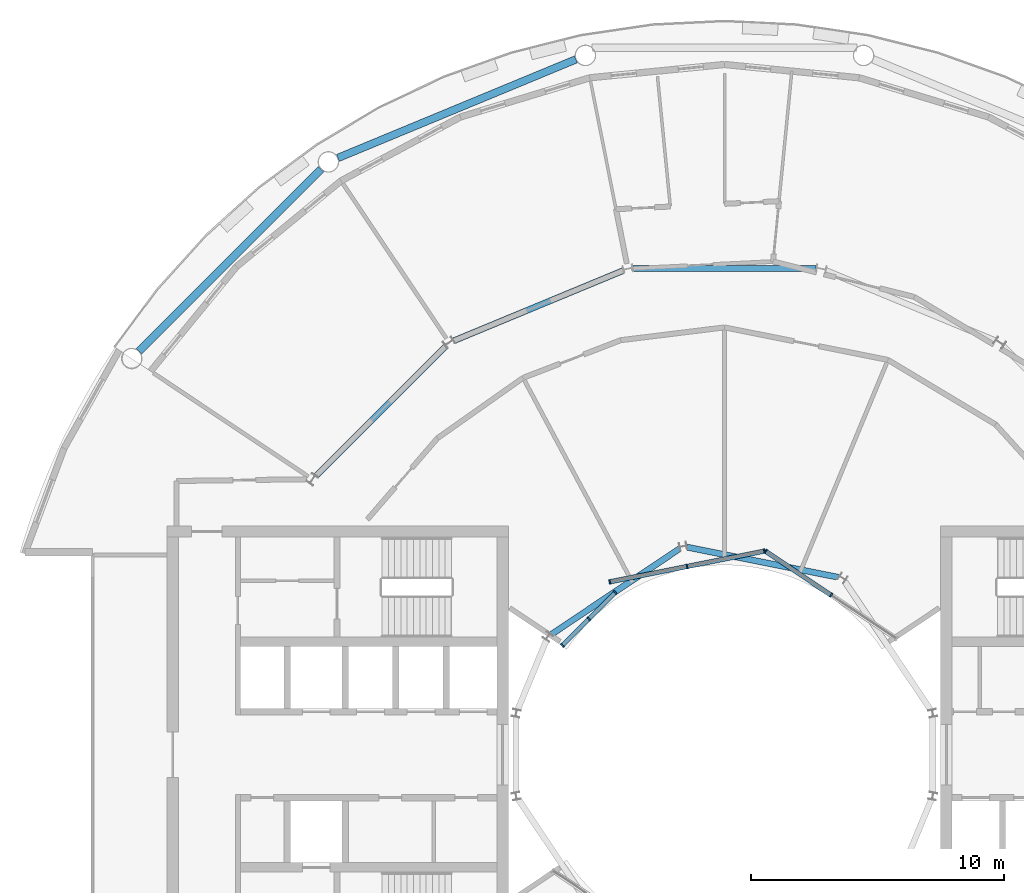
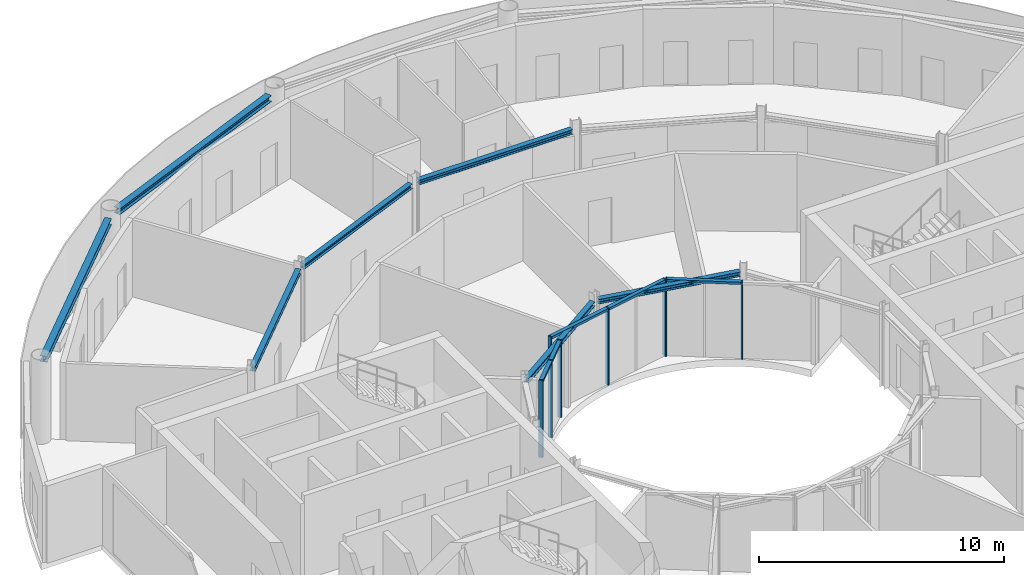
# One storey, part 9 of 22: 13 members, 7 beams, 3 elements without a shape of their own.
"""IFC4 building model written with IfcOpenShell, lengths in metres."""

from ifc_helpers import new_model, si_unit, direction, frame, origin, origin_2d, place, context, subcontext, project, spatial, rectangle, i_section, extrude, material, layer, layer_set, material_profile, profile_set, type_object, element, aggregate, save


model = new_model("IFC4")

# Units and contexts
model_context = context("Model", 3, precision=1e-05, world=origin(), true_north=direction((0.0, 1.0)))
body_context = subcontext(model_context, "Body", "Model", "MODEL_VIEW")
ifc_project = project(units=[si_unit("LENGTHUNIT", "METRE"), si_unit("AREAUNIT", "SQUARE_METRE"), si_unit("VOLUMEUNIT", "CUBIC_METRE"), si_unit("PLANEANGLEUNIT", "RADIAN"), si_unit("MASSUNIT", "GRAM", prefix="KILO")], contexts=[model_context])

# Site, building, storey
site_placement = place(None, origin())
site = spatial("IfcSite", under=ifc_project, at=site_placement, CompositionType="ELEMENT")
building_placement = place(site_placement, origin())
building = spatial("IfcBuilding", under=site, at=building_placement, Name="Maasbend Ring Residences", CompositionType="ELEMENT")
storey_placement = place(building_placement, frame((0.0, 0.0, 208.5)))
storey = spatial("IfcBuildingStorey", under=building, at=storey_placement, Name="L60", CompositionType="ELEMENT", Elevation=208.5)

# Curtain wall, members
ifc_material_1 = material(Name="Aluminium and clear glass", Category="aluminium")
ifc_layer = layer(ifc_material_1, 0.179931640625)
ifc_layer_set = layer_set([ifc_layer], Name="CW-W")
curtain_wall_type = type_object("IfcCurtainWallType", Name="CW-W", PredefinedType="NOTDEFINED", material=ifc_layer_set)
curtain_wall_1_placement = place(storey_placement, origin())
curtain_wall_1 = element("IfcCurtainWall", 1, at=curtain_wall_1_placement, inside=storey, type_object=curtain_wall_type, Name="Well curtain wall N1", PredefinedType="NOTDEFINED")
ifc_material_2 = material(Name="Aluminium 6063-T6", Category="aluminium")
ifc_material_profile_1 = material_profile(ifc_material_2, rectangle(XDim=0.179931640625, YDim=0.06005859375, at=origin_2d()), Name="AL 180x60")
ifc_profile_set_1 = profile_set([ifc_material_profile_1], Name="Aluminium 6063-T6")
member_type_1 = type_object("IfcMemberType", Name="CWM-W", PredefinedType="MULLION", material=ifc_profile_set_1)
member_1_placement = place(storey_placement, frame((4.216796875, 6.310791015625, 0.0), z_axis=(0.0, 0.0, 1.0), x_axis=(-0.55557023302, -0.831469612303, 0.0)))
member_1 = element("IfcMember", 2, at=member_1_placement, type_object=member_type_1, Name="Mullion well face", PredefinedType="MULLION", context=body_context, shape_type="SweptSolid", body=[
    extrude(rectangle(XDim=0.179931640625, YDim=0.06005859375, at=origin_2d()), origin(), (0.0, 0.0, 1.0), 3.85009765625),
])
member_2_placement = place(storey_placement, frame((1.627685546875, 8.040771484375, 0.0), z_axis=(0.0, 0.0, 1.0), x_axis=(-0.55557023302, -0.831469612303, 0.0)))
member_2 = element("IfcMember", 3, at=member_2_placement, type_object=member_type_1, Name="Mullion well face", PredefinedType="MULLION", context=body_context, shape_type="SweptSolid", body=[
    extrude(rectangle(XDim=0.179931640625, YDim=0.06005859375, at=origin_2d()), origin(), (0.0, 0.0, 1.0), 3.85009765625),
])

curtain_wall_2_placement = place(storey_placement, origin())
curtain_wall_2 = element("IfcCurtainWall", 4, at=curtain_wall_2_placement, inside=storey, type_object=curtain_wall_type, Name="Well curtain wall N2", PredefinedType="NOTDEFINED")
member_3_placement = place(storey_placement, frame((1.5732421875, 8.0517578125, 0.0), z_axis=(0.0, 0.0, 1.0), x_axis=(0.195090322016, -0.980785280403, 0.0)))
member_3 = element("IfcMember", 5, at=member_3_placement, type_object=member_type_1, Name="Mullion well face", PredefinedType="MULLION", context=body_context, shape_type="SweptSolid", body=[
    extrude(rectangle(XDim=0.179931640625, YDim=0.06005859375, at=origin_2d()), origin(), (0.0, 0.0, 1.0), 3.85009765625),
])
member_4_placement = place(storey_placement, frame((-1.480712890625, 7.444091796875, 0.0), z_axis=(0.0, 0.0, 1.0), x_axis=(0.195090322016, -0.980785280403, 0.0)))
member_4 = element("IfcMember", 6, at=member_4_placement, type_object=member_type_1, Name="Mullion well face", PredefinedType="MULLION", context=body_context, shape_type="SweptSolid", body=[
    extrude(rectangle(XDim=0.179931640625, YDim=0.06005859375, at=origin_2d()), origin(), (0.0, 0.0, 1.0), 3.85009765625),
])
member_5_placement = place(storey_placement, frame((-4.53466796875, 6.836669921875, 0.0), z_axis=(0.0, 0.0, 1.0), x_axis=(0.195090322016, -0.980785280403, 0.0)))
member_5 = element("IfcMember", 7, at=member_5_placement, type_object=member_type_1, Name="Mullion well face", PredefinedType="MULLION", context=body_context, shape_type="SweptSolid", body=[
    extrude(rectangle(XDim=0.179931640625, YDim=0.06005859375, at=origin_2d()), origin(), (0.0, 0.0, 1.0), 3.85009765625),
])

curtain_wall_3_placement = place(storey_placement, origin())
curtain_wall_3 = element("IfcCurtainWall", 8, at=curtain_wall_3_placement, inside=storey, type_object=curtain_wall_type, Name="Well curtain wall N3", PredefinedType="NOTDEFINED")
member_6_placement = place(storey_placement, frame((-4.320556640625, 6.413330078125, 0.0), z_axis=(0.0, 0.0, 1.0), x_axis=(0.707106781187, -0.707106781187, 0.0)))
member_6 = element("IfcMember", 9, at=member_6_placement, type_object=member_type_1, Name="Mullion well face", PredefinedType="MULLION", context=body_context, shape_type="SweptSolid", body=[
    extrude(rectangle(XDim=0.179931640625, YDim=0.06005859375, at=origin_2d()), origin(), (0.0, 0.0, 1.0), 3.85009765625),
])
member_7_placement = place(storey_placement, frame((-5.366943359375, 5.366943359375, 0.0), z_axis=(0.0, 0.0, 1.0), x_axis=(0.707106781187, -0.707106781187, 0.0)))
member_7 = element("IfcMember", 10, at=member_7_placement, type_object=member_type_1, Name="Mullion well face", PredefinedType="MULLION", context=body_context, shape_type="SweptSolid", body=[
    extrude(rectangle(XDim=0.179931640625, YDim=0.06005859375, at=origin_2d()), origin(), (0.0, 0.0, 1.0), 3.85009765625),
])
member_8_placement = place(storey_placement, frame((-6.413330078125, 4.320556640625, 0.0), z_axis=(0.0, 0.0, 1.0), x_axis=(0.707106781187, -0.707106781187, 0.0)))
member_8 = element("IfcMember", 11, at=member_8_placement, type_object=member_type_1, Name="Mullion well face", PredefinedType="MULLION", context=body_context, shape_type="SweptSolid", body=[
    extrude(rectangle(XDim=0.179931640625, YDim=0.06005859375, at=origin_2d()), origin(), (0.0, 0.0, 1.0), 3.85009765625),
])

# Member
ifc_material_3 = material(Name="Aluminium 6063-T6", Category="aluminium")
ifc_material_profile_2 = material_profile(ifc_material_3, rectangle(XDim=0.179931640625, YDim=0.1201171875, at=origin_2d()), Name="AL 180x120")
ifc_profile_set_2 = profile_set([ifc_material_profile_2], Name="Aluminium 6063-T6")
member_type_2 = type_object("IfcMemberType", Name="CWT-W", PredefinedType="USERDEFINED", material=ifc_profile_set_2)
member_9_placement = place(storey_placement, frame((4.19189453125, 6.32763671875, 3.7900390625), z_axis=(-0.831496422459, 0.555530106689, 0.0), x_axis=(-0.555530106689, -0.831496422459, 0.0)))
member_9 = element("IfcMember", 12, at=member_9_placement, type_object=member_type_2, Name="Transom well face", ObjectType="TRANSOM", PredefinedType="USERDEFINED", context=body_context, shape_type="SweptSolid", body=[
    extrude(rectangle(XDim=0.179931640625, YDim=0.1201171875, at=origin_2d()), origin(), (0.0, 0.0, 1.0), 3.053955078125),
])

aggregate(curtain_wall_1, [member_1, member_2, member_9])

member_10_placement = place(storey_placement, frame((1.5439453125, 8.0458984375, 3.7900390625), z_axis=(-0.980776956105, -0.195132166424, 0.0), x_axis=(0.195132166424, -0.980776956105, 0.0)))
member_10 = element("IfcMember", 13, at=member_10_placement, type_object=member_type_2, Name="Transom well face", ObjectType="TRANSOM", PredefinedType="USERDEFINED", context=body_context, shape_type="SweptSolid", body=[
    extrude(rectangle(XDim=0.179931640625, YDim=0.1201171875, at=origin_2d()), origin(), (0.0, 0.0, 1.0), 3.053955078125),
])

member_11_placement = place(storey_placement, frame((-1.51025390625, 7.438232421875, 3.7900390625), z_axis=(-0.980789210404, -0.19507056353, 0.0), x_axis=(0.19507056353, -0.980789210404, 0.0)))
member_11 = element("IfcMember", 14, at=member_11_placement, type_object=member_type_2, Name="Transom well face", ObjectType="TRANSOM", PredefinedType="USERDEFINED", context=body_context, shape_type="SweptSolid", body=[
    extrude(rectangle(XDim=0.179931640625, YDim=0.1201171875, at=origin_2d()), origin(), (0.0, 0.0, 1.0), 3.0537109375),
])

aggregate(curtain_wall_2, [member_3, member_4, member_5, member_10, member_11])

member_12_placement = place(storey_placement, frame((-4.341796875, 6.39208984375, 3.7900390625), z_axis=(-0.707106781187, -0.707106781187, 0.0), x_axis=(0.707106781187, -0.707106781187, 0.0)))
member_12 = element("IfcMember", 15, at=member_12_placement, type_object=member_type_2, Name="Transom well face", ObjectType="TRANSOM", PredefinedType="USERDEFINED", context=body_context, shape_type="SweptSolid", body=[
    extrude(rectangle(XDim=0.179931640625, YDim=0.1201171875, at=origin_2d()), origin(), (0.0, 0.0, 1.0), 1.419677734375),
])

member_13_placement = place(storey_placement, frame((-5.38818359375, 5.345703125, 3.7900390625), z_axis=(-0.707106781187, -0.707106781187, 0.0), x_axis=(0.707106781187, -0.707106781187, 0.0)))
member_13 = element("IfcMember", 16, at=member_13_placement, type_object=member_type_2, Name="Transom well face", ObjectType="TRANSOM", PredefinedType="USERDEFINED", context=body_context, shape_type="SweptSolid", body=[
    extrude(rectangle(XDim=0.179931640625, YDim=0.1201171875, at=origin_2d()), origin(), (0.0, 0.0, 1.0), 1.419677734375),
])

aggregate(curtain_wall_3, [member_6, member_7, member_8, member_12, member_13])

# Beams
ifc_material_4 = material(Name="Steel S355J2", Category="steel")
ifc_material_profile_3 = material_profile(ifc_material_4, i_section(OverallWidth=0.239990234375, OverallDepth=0.22998046875, WebThickness=0.007568359375, FlangeThickness=0.011962890625, FilletRadius=0.02099609375, at=origin_2d()), Name="HEA 240")
ifc_profile_set_3 = profile_set([ifc_material_profile_3], Name="Steel S355J2")
beam_type_1 = type_object("IfcBeamType", Name="Corridor ring beam HEA 240", PredefinedType="BEAM", material=ifc_profile_set_3)
for number, where, z_axis, x_axis, name in (
    (17, (3.619873046875, 19.223388671875, 3.735107421875), (-1.0, 0.0, 0.0), (0.0, -1.0, 0.0), "Corridor ring beam"),
    (18, (-4.01220703125, 19.1455078125, 3.735107421875), (-0.923865162022, -0.382718123952, 0.0), (0.382718123952, -0.923865162022, 0.0), "Corridor ring beam"),
):
    element("IfcBeam", number, at=place(storey_placement, frame(where, z_axis=z_axis, x_axis=x_axis)), inside=storey, type_object=beam_type_1, Name=name, PredefinedType="BEAM", context=body_context, shape_type="SweptSolid", body=[
        extrude(i_section(OverallWidth=0.239990234375, OverallDepth=0.22998046875, WebThickness=0.007568359375, FlangeThickness=0.011962890625, FilletRadius=0.02099609375, at=origin_2d()), origin(), (0.0, 0.0, 1.0), 7.23974609375),
    ])
beam_placement = place(storey_placement, frame((-11.033447265625, 16.152587890625, 3.735107421875), z_axis=(-0.707106781187, -0.707106781187, 0.0), x_axis=(0.707106781187, -0.707106781187, 0.0)))
element("IfcBeam", 19, at=beam_placement, inside=storey, type_object=beam_type_1, Name="Corridor ring beam", PredefinedType="BEAM", context=body_context, shape_type="SweptSolid", body=[
    extrude(i_section(OverallWidth=0.239990234375, OverallDepth=0.22998046875, WebThickness=0.007568359375, FlangeThickness=0.011962890625, FilletRadius=0.02099609375, at=origin_2d()), origin(), (0.0, 0.0, 1.0), 7.239501953125),
])
ifc_material_5 = material(Name="Steel S355J2", Category="steel")
ifc_material_profile_4 = material_profile(ifc_material_5, i_section(OverallWidth=0.300048828125, OverallDepth=0.300048828125, WebThickness=0.010986328125, FlangeThickness=0.01904296875, FilletRadius=0.027099609375, at=origin_2d()), Name="HEB 300")
ifc_profile_set_4 = profile_set([ifc_material_profile_4], Name="Steel S355J2")
beam_type_2 = type_object("IfcBeamType", Name="Spandrel ring beam HEB 300", PredefinedType="SPANDREL", material=ifc_profile_set_4)
for number, where, z_axis, x_axis, name in (
    (20, (-5.877197265625, 27.50244140625, 3.699951171875), (-0.923883676188, -0.382673428492, 0.0), (0.382673428492, -0.923883676188, 0.0), "Spandrel ring beam"),
    (21, (-15.95458984375, 23.159912109375, 3.699951171875), (-0.707106781187, -0.707106781187, 0.0), (0.707106781187, -0.707106781187, 0.0), "Spandrel ring beam"),
):
    element("IfcBeam", number, at=place(storey_placement, frame(where, z_axis=z_axis, x_axis=x_axis)), inside=storey, type_object=beam_type_2, Name=name, PredefinedType="SPANDREL", context=body_context, shape_type="SweptSolid", body=[
        extrude(i_section(OverallWidth=0.300048828125, OverallDepth=0.300048828125, WebThickness=0.010986328125, FlangeThickness=0.01904296875, FilletRadius=0.027099609375, at=origin_2d()), origin(), (0.0, 0.0, 1.0), 10.18994140625),
    ])
ifc_material_6 = material(Name="Steel S355J2", Category="steel")
ifc_material_profile_5 = material_profile(ifc_material_6, i_section(OverallWidth=0.239990234375, OverallDepth=0.22998046875, WebThickness=0.007568359375, FlangeThickness=0.011962890625, FilletRadius=0.02099609375, at=origin_2d()), Name="HEA 240")
ifc_profile_set_5 = profile_set([ifc_material_profile_5], Name="Steel S355J2")
beam_type_3 = type_object("IfcBeamType", Name="Well edge beam HEA 240", PredefinedType="BEAM", material=ifc_profile_set_5)
for number, where, z_axis, x_axis, name in (
    (22, (4.512939453125, 7.014892578125, 3.735107421875), (-0.980782836869, 0.195102606089, 0.0), (-0.195102606089, -0.980782836869, 0.0), "Well edge beam"),
    (23, (-1.769287109375, 8.1513671875, 3.735107421875), (-0.831460175376, -0.555584356119, 0.0), (0.555584356119, -0.831460175376, 0.0), "Well edge beam"),
):
    element("IfcBeam", number, at=place(storey_placement, frame(where, z_axis=z_axis, x_axis=x_axis)), inside=storey, type_object=beam_type_3, Name=name, PredefinedType="BEAM", context=body_context, shape_type="SweptSolid", body=[
        extrude(i_section(OverallWidth=0.239990234375, OverallDepth=0.22998046875, WebThickness=0.007568359375, FlangeThickness=0.011962890625, FilletRadius=0.02099609375, at=origin_2d()), origin(), (0.0, 0.0, 1.0), 6.115234375),
    ])

save(model, "model.ifc")
